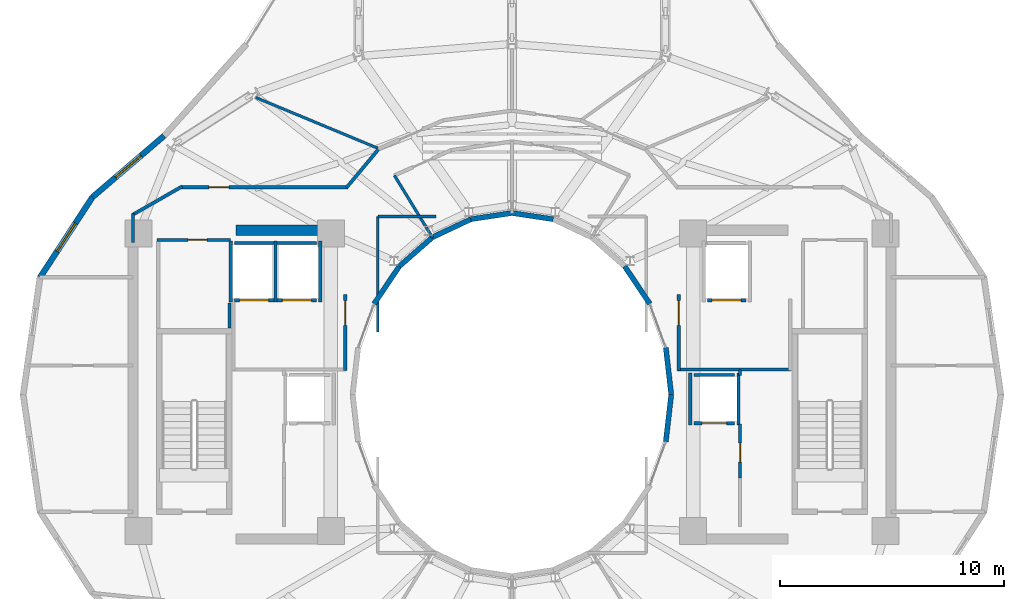
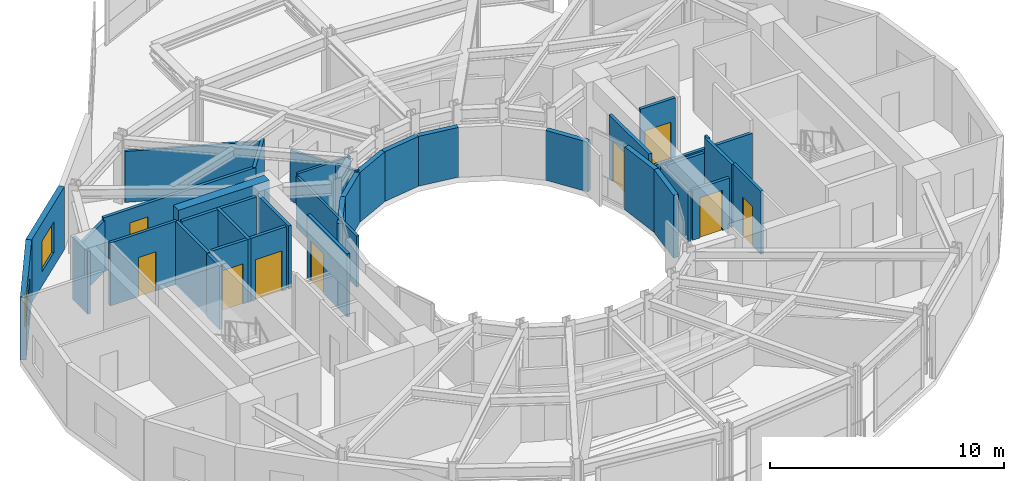
# One storey, part 19 of 24: 38 walls, 9 doors, 2 windows, 11 openings.
"""IFC4 building model written with IfcOpenShell, lengths in metres."""

from ifc_helpers import new_model, si_unit, direction, frame, frame_2d, origin, place, context, subcontext, project, spatial, rectangle, extrude, material, layer, layer_set, type_object, element, fill, save


model = new_model("IFC4")

# Units and contexts
model_context = context("Model", 3, precision=1e-05, world=origin(), true_north=direction((0.0, 1.0)))
body_context = subcontext(model_context, "Body", "Model", "MODEL_VIEW")
ifc_project = project(units=[si_unit("LENGTHUNIT", "METRE"), si_unit("AREAUNIT", "SQUARE_METRE"), si_unit("VOLUMEUNIT", "CUBIC_METRE"), si_unit("PLANEANGLEUNIT", "RADIAN"), si_unit("MASSUNIT", "GRAM", prefix="KILO")], contexts=[model_context])

# Site, building, storey
site_placement = place(None, origin())
site = spatial("IfcSite", under=ifc_project, at=site_placement, CompositionType="ELEMENT")
building_placement = place(site_placement, origin())
building = spatial("IfcBuilding", under=site, at=building_placement, Name="Solvane Sanctuary Tower", CompositionType="ELEMENT")
storey_placement = place(building_placement, frame((0.0, 0.0, 253.199951171875)))
storey = spatial("IfcBuildingStorey", under=building, at=storey_placement, Name="L77", CompositionType="ELEMENT", Elevation=253.199951171875)

# Wall
ifc_material_1 = material(Name="Concrete C50/60", Category="concrete")
ifc_layer_1 = layer(ifc_material_1, 0.449951171875, Name="Concrete C50/60")
ifc_layer_set_1 = layer_set([ifc_layer_1], Name="Concrete C50/60")
wall_type_1 = type_object("IfcWallType", Name="Wall W-CORE-450", PredefinedType="SHEAR", material=ifc_layer_set_1)
wall_1_placement = place(storey_placement, frame((19.64990234375, 30.35009765625, 0.0), z_axis=(0.0, 0.0, 1.0), x_axis=(1.0, 0.0, 0.0)))
element("IfcWall", 1, at=wall_1_placement, inside=storey, type_object=wall_type_1, Name="L77 Core Shear Wall WC-N", PredefinedType="SHEAR", context=body_context, shape_type="SweptSolid", body=[
    extrude(rectangle(XDim=4.5, YDim=0.449951171875, at=frame_2d((2.25, 0.0))), origin(), (0.0, 0.0, 1.0), 3.60009765625),
])

# Wall, opening, door
ifc_material_2 = material(Name="Acoustic Gypsum Partition Board")
ifc_layer_2 = layer(ifc_material_2, 0.14990234375, Name="Acoustic Gypsum Partition Board")
ifc_layer_set_2 = layer_set([ifc_layer_2], Name="Acoustic Gypsum Partition Board")
wall_type_2 = type_object("IfcWallType", Name="Wall W-CORR-150", PredefinedType="PARTITIONING", material=ifc_layer_set_2)
wall_2_placement = place(storey_placement, frame((24.550048828125, 24.080078125, 0.0), z_axis=(0.0, 0.0, 1.0), x_axis=(0.0, 1.0, 0.0)))
wall_2 = element("IfcWall", 2, at=wall_2_placement, inside=storey, type_object=wall_type_2, Name="L77 West Firefighting Lobby East Wall", PredefinedType="PARTITIONING", context=body_context, shape_type="SweptSolid", body=[
    extrude(rectangle(XDim=3.39990234375, YDim=0.14990234375, at=frame_2d((1.699951171875, 0.0))), origin(), (0.0, 0.0, 1.0), 3.295166015625),
])
opening_1_placement = place(wall_2_placement, frame((2.02001953125, 0.0, 0.0)))
opening_1 = element("IfcOpeningElement", 3, at=opening_1_placement, cuts=wall_2, Name="Opening D-L77-03", PredefinedType="OPENING", context=body_context, shape_type="SweptSolid", body=[
    extrude(rectangle(XDim=1.10009765625, YDim=2.10009765625, at=frame_2d((0.550048828125, 1.050048828125))), frame((0.0, 0.0849609375, 0.0), z_axis=(0.0, -1.0, 0.0), x_axis=(1.0, 0.0, 0.0)), (0.0, 0.0, 1.0), 0.169921875),
])
ifc_material_3 = material(Name="Architectural Stainless Steel 316", Category="steel")
door_type_1 = type_object("IfcDoorType", Name="Door D-FFL", OperationType="NOTDEFINED", PredefinedType="DOOR", material=ifc_material_3)
door_1_placement = place(opening_1_placement, origin())
door_1 = element("IfcDoor", 4, at=door_1_placement, inside=storey, type_object=door_type_1, Name="L77 West Firefighting Lobby Fire Door", OperationType="SINGLE_SWING_LEFT", OverallHeight=2.10009765625, OverallWidth=1.10009765625, PredefinedType="DOOR", context=body_context, shape_type="SweptSolid", body=[
    extrude(rectangle(XDim=1.10009765625, YDim=2.10009765625, at=frame_2d((0.550048828125, 1.050048828125))), frame((0.0, 0.02490234375, 0.0), z_axis=(0.0, -1.0, 0.0), x_axis=(1.0, 0.0, 0.0)), (0.0, 0.0, 1.0), 0.050048828125),
])
fill(opening_1, door_1)

# Wall
wall_3_placement = place(storey_placement, frame((39.39990234375, 24.1201171875, 0.0), z_axis=(0.0, 0.0, 1.0), x_axis=(1.0, 0.0, 0.0)))
element("IfcWall", 5, at=wall_3_placement, inside=storey, type_object=wall_type_2, Name="L77 East Firefighting Lobby South Wall", PredefinedType="PARTITIONING", context=body_context, shape_type="SweptSolid", body=[
    extrude(rectangle(XDim=5.080078125, YDim=0.14990234375, at=frame_2d((2.5400390625, 0.0))), origin(), (0.0, 0.0, 1.0), 2.6201171875),
])

# Wall, opening, door
wall_4_placement = place(storey_placement, frame((39.449951171875, 24.080078125, 0.0), z_axis=(0.0, 0.0, 1.0), x_axis=(0.0, 1.0, 0.0)))
wall_4 = element("IfcWall", 6, at=wall_4_placement, inside=storey, type_object=wall_type_2, Name="L77 East Firefighting Lobby West Wall", PredefinedType="PARTITIONING", context=body_context, shape_type="SweptSolid", body=[
    extrude(rectangle(XDim=3.39990234375, YDim=0.14990234375, at=frame_2d((1.699951171875, 0.0))), origin(), (0.0, 0.0, 1.0), 3.295166015625),
])
opening_2_placement = place(wall_4_placement, frame((2.02001953125, 0.0, 0.0)))
opening_2 = element("IfcOpeningElement", 7, at=opening_2_placement, cuts=wall_4, Name="Opening D-L77-04", PredefinedType="OPENING", context=body_context, shape_type="SweptSolid", body=[
    extrude(rectangle(XDim=1.10009765625, YDim=2.10009765625, at=frame_2d((0.550048828125, 1.050048828125))), frame((0.0, 0.0849609375, 0.0), z_axis=(0.0, -1.0, 0.0), x_axis=(1.0, 0.0, 0.0)), (0.0, 0.0, 1.0), 0.169921875),
])
door_2_placement = place(opening_2_placement, origin())
door_2 = element("IfcDoor", 8, at=door_2_placement, inside=storey, type_object=door_type_1, Name="L77 East Firefighting Lobby Fire Door", OperationType="SINGLE_SWING_RIGHT", OverallHeight=2.10009765625, OverallWidth=1.10009765625, PredefinedType="DOOR", context=body_context, shape_type="SweptSolid", body=[
    extrude(rectangle(XDim=1.10009765625, YDim=2.10009765625, at=frame_2d((0.550048828125, 1.050048828125))), frame((0.0, 0.02490234375, 0.0), z_axis=(0.0, -1.0, 0.0), x_axis=(1.0, 0.0, 0.0)), (0.0, 0.0, 1.0), 0.050048828125),
])
fill(opening_2, door_2)

# Walls
wall_5_placement = place(storey_placement, frame((15.050048828125, 29.800048828125, 0.0), z_axis=(0.0, 0.0, 1.0), x_axis=(0.0, 1.0, 0.0)))
element("IfcWall", 9, at=wall_5_placement, inside=storey, type_object=wall_type_2, Name="L77 NW Corner Closer 1", PredefinedType="PARTITIONING", context=body_context, shape_type="SweptSolid", body=[
    extrude(rectangle(XDim=1.2900390625, YDim=0.14990234375, at=frame_2d((0.64501953125, 0.0))), origin(), (0.0, 0.0, 1.0), 3.295166015625),
])
wall_6_placement = place(storey_placement, frame((26.015869140625, 33.95458984375, 0.0), z_axis=(0.0, 0.0, 1.0), x_axis=(-0.64030392053, -0.76812166312, 0.0)))
element("IfcWall", 10, at=wall_6_placement, inside=storey, type_object=wall_type_2, Name="L77 NW Corner Throat Wall", PredefinedType="PARTITIONING", context=body_context, shape_type="SweptSolid", body=[
    extrude(rectangle(XDim=2.2099609375, YDim=0.14990234375, at=frame_2d((1.10498046875, 0.0))), origin(), (0.0, 0.0, 1.0), 2.816162109375),
])

# Wall, opening, door
wall_7_placement = place(storey_placement, frame((17.14990234375, 32.280029296875, 0.0), z_axis=(0.0, 0.0, 1.0), x_axis=(1.0, 0.0, 0.0)))
wall_7 = element("IfcWall", 11, at=wall_7_placement, inside=storey, type_object=wall_type_2, Name="L77 NW Corner Corridor Wall", PredefinedType="PARTITIONING", context=body_context, shape_type="SweptSolid", body=[
    extrude(rectangle(XDim=7.52001953125, YDim=0.14990234375, at=frame_2d((3.760009765625, 0.0))), origin(), (0.0, 0.0, 1.0), 2.816162109375),
])
opening_3_placement = place(wall_7_placement, frame((1.300048828125, 0.0, 0.0)))
opening_3 = element("IfcOpeningElement", 12, at=opening_3_placement, cuts=wall_7, Name="Opening D-L77-18", PredefinedType="OPENING", context=body_context, shape_type="SweptSolid", body=[
    extrude(rectangle(XDim=0.89990234375, YDim=2.10009765625, at=frame_2d((0.449951171875, 1.050048828125))), frame((0.0, 0.0849609375, 0.0), z_axis=(0.0, -1.0, 0.0), x_axis=(1.0, 0.0, 0.0)), (0.0, 0.0, 1.0), 0.169921875),
])
ifc_material_4 = material(Name="Engineered Tropical Hardwood", Category="wood")
door_type_2 = type_object("IfcDoorType", Name="Door D-WET-900", OperationType="NOTDEFINED", PredefinedType="DOOR", material=ifc_material_4)
door_3_placement = place(opening_3_placement, origin())
door_3 = element("IfcDoor", 13, at=door_3_placement, inside=storey, type_object=door_type_2, Name="L77 NW Corner Salon Door", OperationType="SINGLE_SWING_RIGHT", OverallHeight=2.10009765625, OverallWidth=0.89990234375, PredefinedType="DOOR", context=body_context, shape_type="SweptSolid", body=[
    extrude(rectangle(XDim=0.89990234375, YDim=2.10009765625, at=frame_2d((0.449951171875, 1.050048828125))), frame((0.0, 0.02490234375, 0.0), z_axis=(0.0, -1.0, 0.0), x_axis=(1.0, 0.0, 0.0)), (0.0, 0.0, 1.0), 0.050048828125),
])
fill(opening_3, door_3)

# Wall
wall_8_placement = place(storey_placement, frame((17.243408203125, 32.3046875, 0.0), z_axis=(0.0, 0.0, 1.0), x_axis=(-0.867991349648, -0.496579315857, 0.0)))
element("IfcWall", 14, at=wall_8_placement, inside=storey, type_object=wall_type_2, Name="L77 NW Corner Wing Wall", PredefinedType="PARTITIONING", context=body_context, shape_type="SweptSolid", body=[
    extrude(rectangle(XDim=2.56689453125, YDim=0.14990234375, at=frame_2d((1.283447265625, 0.0))), origin(), (0.0, 0.0, 1.0), 2.66015625),
])

# Wall, opening, window
ifc_material_5 = material(Name="Precast concrete C40/50", Category="concrete")
ifc_layer_3 = layer(ifc_material_5, 0.260009765625, Name="Precast concrete C40/50")
ifc_layer_set_3 = layer_set([ifc_layer_3], Name="Precast concrete C40/50")
wall_type_3 = type_object("IfcWallType", Name="Wall W-EXT-250", PredefinedType="STANDARD", material=ifc_layer_set_3)
wall_9_placement = place(storey_placement, frame((16.4423828125, 34.572265625, 0.0), z_axis=(0.0, 0.0, 1.0), x_axis=(-0.759587504333, -0.650405122413, 0.0)))
wall_9 = element("IfcWall", 15, at=wall_9_placement, inside=storey, type_object=wall_type_3, Name="L77 Ceramic-Printed Facade Wall 09", PredefinedType="STANDARD", context=body_context, shape_type="SweptSolid", body=[
    extrude(rectangle(XDim=4.21728515625, YDim=0.260009765625, at=frame_2d((2.108642578125, 0.0))), origin(), (0.0, 0.0, 1.0), 3.2900390625),
])
opening_4_placement = place(wall_9_placement, frame((1.358642578125, 0.0, 0.75)))
opening_4 = element("IfcOpeningElement", 16, at=opening_4_placement, cuts=wall_9, Name="Opening WN-OPER-1500", PredefinedType="OPENING", context=body_context, shape_type="SweptSolid", body=[
    extrude(rectangle(XDim=1.5, YDim=1.60009765625, at=frame_2d((0.75, 0.800048828125))), frame((0.0, 0.139892578125, 0.0), z_axis=(0.0, -1.0, 0.0), x_axis=(1.0, 0.0, 0.0)), (0.0, 0.0, 1.0), 0.280029296875),
])
ifc_material_6 = material(Name="Dark Ceramic-Fritted Low-E Glass", Category="glass")
window_type = type_object("IfcWindowType", Name="Window WN-OPER-1500", PartitioningType="SINGLE_PANEL", PredefinedType="WINDOW", material=ifc_material_6)
window_1_placement = place(opening_4_placement, origin())
window_1 = element("IfcWindow", 17, at=window_1_placement, inside=storey, type_object=window_type, Name="L77 Operable Facade Window 09", OverallHeight=1.60009765625, OverallWidth=1.5, PartitioningType="SINGLE_PANEL", PredefinedType="WINDOW", context=body_context, shape_type="SweptSolid", body=[
    extrude(rectangle(XDim=1.5, YDim=1.60009765625, at=frame_2d((0.75, 0.800048828125))), frame((0.0, 0.030029296875, 0.0), z_axis=(0.0, -1.0, 0.0), x_axis=(1.0, 0.0, 0.0)), (0.0, 0.0, 1.0), 0.06005859375),
])
fill(opening_4, window_1)

wall_10_placement = place(storey_placement, frame((13.239013671875, 31.829345703125, 0.0), z_axis=(0.0, 0.0, 1.0), x_axis=(-0.546606419826, -0.837389647539, 0.0)))
wall_10 = element("IfcWall", 18, at=wall_10_placement, inside=storey, type_object=wall_type_3, Name="L77 Ceramic-Printed Facade Wall 10", PredefinedType="STANDARD", context=body_context, shape_type="SweptSolid", body=[
    extrude(rectangle(XDim=4.287841796875, YDim=0.260009765625, at=frame_2d((2.14404296875, 0.0))), origin(), (0.0, 0.0, 1.0), 3.2900390625),
])
opening_5_placement = place(wall_10_placement, frame((1.393798828125, 0.0, 0.75)))
opening_5 = element("IfcOpeningElement", 19, at=opening_5_placement, cuts=wall_10, Name="Opening WN-OPER-1500", PredefinedType="OPENING", context=body_context, shape_type="SweptSolid", body=[
    extrude(rectangle(XDim=1.5, YDim=1.60009765625, at=frame_2d((0.75, 0.800048828125))), frame((0.0, 0.139892578125, 0.0), z_axis=(0.0, -1.0, 0.0), x_axis=(1.0, 0.0, 0.0)), (0.0, 0.0, 1.0), 0.280029296875),
])
window_2_placement = place(opening_5_placement, origin())
window_2 = element("IfcWindow", 20, at=window_2_placement, inside=storey, type_object=window_type, Name="L77 Operable Facade Window 10", OverallHeight=1.60009765625, OverallWidth=1.5, PartitioningType="SINGLE_PANEL", PredefinedType="WINDOW", context=body_context, shape_type="SweptSolid", body=[
    extrude(rectangle(XDim=1.5, YDim=1.60009765625, at=frame_2d((0.75, 0.800048828125))), frame((0.0, 0.030029296875, 0.0), z_axis=(0.0, -1.0, 0.0), x_axis=(1.0, 0.0, 0.0)), (0.0, 0.0, 1.0), 0.06005859375),
])
fill(opening_5, window_2)

# Walls
ifc_layer_4 = layer(ifc_material_5, 0.22998046875, Name="Precast concrete C40/50")
ifc_layer_set_4 = layer_set([ifc_layer_4], Name="Precast concrete C40/50")
wall_type_4 = type_object("IfcWallType", Name="Wall W-EXT-SP220", PredefinedType="STANDARD", material=ifc_layer_set_4)
wall_11_placement = place(storey_placement, frame((39.1201171875, 23.0, 0.0), z_axis=(0.0, 0.0, 1.0), x_axis=(-0.114711713601, 0.993398823617, 0.0)))
element("IfcWall", 21, at=wall_11_placement, inside=storey, type_object=wall_type_4, Name="L77 Central Light-Well Wall 00", PredefinedType="STANDARD", context=body_context, shape_type="SweptSolid", body=[
    extrude(rectangle(XDim=2.115478515625, YDim=0.22998046875, at=frame_2d((1.0576171875, 0.0))), origin(), (0.0, 0.0, 1.0), 3.280029296875),
])
wall_12_placement = place(storey_placement, frame((38.166015625, 27.06005859375, 0.0), z_axis=(0.0, 0.0, 1.0), x_axis=(-0.558197800898, 0.829707909492, 0.0)))
element("IfcWall", 22, at=wall_12_placement, inside=storey, type_object=wall_type_4, Name="L77 Central Light-Well Wall 02", PredefinedType="STANDARD", context=body_context, shape_type="SweptSolid", body=[
    extrude(rectangle(XDim=2.02685546875, YDim=0.22998046875, at=frame_2d((1.013427734375, 0.0))), origin(), (0.0, 0.0, 1.0), 2.60009765625),
])
for number, where, z_axis, x_axis, name in (
    (23, (33.8427734375, 30.84326171875, 0.0), (0.0, 0.0, 1.0), (-0.988901730308, 0.148571086668, 0.0), "L77 Central Light-Well Wall 05"),
    (24, (32.0, 31.1201171875, 0.0), (0.0, 0.0, 1.0), (-0.988901730308, -0.148571086668, 0.0), "L77 Central Light-Well Wall 06"),
):
    element("IfcWall", number, at=place(storey_placement, frame(where, z_axis=z_axis, x_axis=x_axis)), inside=storey, type_object=wall_type_4, Name=name, PredefinedType="STANDARD", context=body_context, shape_type="SweptSolid", body=[
        extrude(rectangle(XDim=1.863525390625, YDim=0.22998046875, at=frame_2d((0.931640625, 0.0))), origin(), (0.0, 0.0, 1.0), 2.60009765625),
    ])
wall_13_placement = place(storey_placement, frame((30.1572265625, 30.84326171875, 0.0), z_axis=(0.0, 0.0, 1.0), x_axis=(-0.904179699603, -0.427152280606, 0.0)))
element("IfcWall", 25, at=wall_13_placement, inside=storey, type_object=wall_type_4, Name="L77 Central Light-Well Wall 07", PredefinedType="STANDARD", context=body_context, shape_type="SweptSolid", body=[
    extrude(rectangle(XDim=1.899169921875, YDim=0.22998046875, at=frame_2d((0.94970703125, 0.0))), origin(), (0.0, 0.0, 1.0), 2.60009765625),
])
wall_14_placement = place(storey_placement, frame((28.43994140625, 30.031982421875, 0.0), z_axis=(0.0, 0.0, 1.0), x_axis=(-0.752576694707, -0.658504607869, 0.0)))
element("IfcWall", 26, at=wall_14_placement, inside=storey, type_object=wall_type_4, Name="L77 Central Light-Well Wall 08", PredefinedType="STANDARD", context=body_context, shape_type="SweptSolid", body=[
    extrude(rectangle(XDim=1.95947265625, YDim=0.22998046875, at=frame_2d((0.979736328125, 0.0))), origin(), (0.0, 0.0, 1.0), 2.60009765625),
])
wall_15_placement = place(storey_placement, frame((26.96533203125, 28.74169921875, 0.0), z_axis=(0.0, 0.0, 1.0), x_axis=(-0.558197800898, -0.829707909492, 0.0)))
element("IfcWall", 27, at=wall_15_placement, inside=storey, type_object=wall_type_4, Name="L77 Central Light-Well Wall 09", PredefinedType="STANDARD", context=body_context, shape_type="SweptSolid", body=[
    extrude(rectangle(XDim=2.02685546875, YDim=0.22998046875, at=frame_2d((1.013427734375, 0.0))), origin(), (0.0, 0.0, 1.0), 2.60009765625),
])
wall_16_placement = place(storey_placement, frame((38.87744140625, 20.8984375, 0.0), z_axis=(0.0, 0.0, 1.0), x_axis=(0.114711713601, 0.993398823617, 0.0)))
element("IfcWall", 28, at=wall_16_placement, inside=storey, type_object=wall_type_4, Name="L77 Central Light-Well Wall 23", PredefinedType="STANDARD", context=body_context, shape_type="SweptSolid", body=[
    extrude(rectangle(XDim=2.115478515625, YDim=0.22998046875, at=frame_2d((1.0576171875, 0.0))), origin(), (0.0, 0.0, 1.0), 3.280029296875),
])
ifc_layer_5 = layer(ifc_material_2, 0.1201171875, Name="Acoustic Gypsum Partition Board")
ifc_layer_set_5 = layer_set([ifc_layer_5], Name="Acoustic Gypsum Partition Board")
wall_type_5 = type_object("IfcWallType", Name="Wall W-MOV-100", PredefinedType="MOVABLE", material=ifc_layer_set_5)
wall_17_placement = place(storey_placement, frame((26.000244140625, 34.017822265625, 0.0), z_axis=(0.0, 0.0, 1.0), x_axis=(-0.92349333748, 0.383614462228, 0.0)))
element("IfcWall", 29, at=wall_17_placement, inside=storey, type_object=wall_type_5, Name="L77 Sky Hall Radial Partition 120", PredefinedType="MOVABLE", context=body_context, shape_type="SweptSolid", body=[
    extrude(rectangle(XDim=5.9072265625, YDim=0.1201171875, at=frame_2d((2.95361328125, 0.0))), origin(), (0.0, 0.0, 1.0), 2.66015625),
])

# Wall, opening, door
ifc_layer_6 = layer(ifc_material_2, 0.125, Name="Acoustic Gypsum Partition Board")
ifc_layer_set_6 = layer_set([ifc_layer_6], Name="Acoustic Gypsum Partition Board")
wall_type_6 = type_object("IfcWallType", Name="Wall W-PART-125", PredefinedType="PARTITIONING", material=ifc_layer_set_6)
wall_18_placement = place(storey_placement, frame((42.199951171875, 19.280029296875, 0.0), z_axis=(0.0, 0.0, 1.0), x_axis=(0.0, 1.0, 0.0)))
wall_18 = element("IfcWall", 30, at=wall_18_placement, inside=storey, type_object=wall_type_6, Name="L77 Reclaimed Room Partition PME", PredefinedType="PARTITIONING", context=body_context, shape_type="SweptSolid", body=[
    extrude(rectangle(XDim=2.39990234375, YDim=0.125, at=frame_2d((1.199951171875, 0.0))), origin(), (0.0, 0.0, 1.0), 3.295166015625),
])
opening_6_placement = place(wall_18_placement, frame((0.699951171875, 0.0, 0.0)))
opening_6 = element("IfcOpeningElement", 31, at=opening_6_placement, cuts=wall_18, Name="Opening D-L77-06", PredefinedType="OPENING", context=body_context, shape_type="SweptSolid", body=[
    extrude(rectangle(XDim=0.85009765625, YDim=2.050048828125, at=frame_2d((0.425048828125, 1.02490234375))), frame((0.0, 0.072509765625, 0.0), z_axis=(0.0, -1.0, 0.0), x_axis=(1.0, 0.0, 0.0)), (0.0, 0.0, 1.0), 0.14501953125),
])
door_type_3 = type_object("IfcDoorType", Name="Door D-RISER", OperationType="NOTDEFINED", PredefinedType="DOOR", material=ifc_material_3)
door_4_placement = place(opening_6_placement, origin())
door_4 = element("IfcDoor", 32, at=door_4_placement, inside=storey, type_object=door_type_3, Name="L77 Reclaimed Room Door PME-1", OperationType="SINGLE_SWING_RIGHT", OverallHeight=2.050048828125, OverallWidth=0.85009765625, PredefinedType="DOOR", context=body_context, shape_type="SweptSolid", body=[
    extrude(rectangle(XDim=0.85009765625, YDim=2.050048828125, at=frame_2d((0.425048828125, 1.02490234375))), frame((0.0, 0.02490234375, 0.0), z_axis=(0.0, -1.0, 0.0), x_axis=(1.0, 0.0, 0.0)), (0.0, 0.0, 1.0), 0.050048828125),
])
fill(opening_6, door_4)

# Walls
wall_19_placement = place(storey_placement, frame((42.199951171875, 23.85009765625, 0.0), z_axis=(0.0, 0.0, 1.0), x_axis=(0.0, 1.0, 0.0)))
element("IfcWall", 33, at=wall_19_placement, inside=storey, type_object=wall_type_6, Name="L77 Reclaimed Room Dividing Wall PME", PredefinedType="PARTITIONING", context=body_context, shape_type="SweptSolid", body=[
    extrude(rectangle(XDim=0.25, YDim=0.125, at=frame_2d((0.125, 0.0))), origin(), (0.0, 0.0, 1.0), 3.295166015625),
])
wall_20_placement = place(storey_placement, frame((28.449951171875, 30.014892578125, 0.0), z_axis=(0.0, 0.0, 1.0), x_axis=(-0.522763432117, 0.852477796802, 0.0)))
element("IfcWall", 34, at=wall_20_placement, inside=storey, type_object=wall_type_6, Name="L77 Light-Well Alcove Radial Wall 120", PredefinedType="PARTITIONING", context=body_context, shape_type="SweptSolid", body=[
    extrude(rectangle(XDim=3.26904296875, YDim=0.125, at=frame_2d((1.634521484375, 0.0))), origin(), (0.0, 0.0, 1.0), 2.672119140625),
])
wall_21_placement = place(storey_placement, frame((26.0, 25.800048828125, 0.0), z_axis=(0.0, 0.0, 1.0), x_axis=(0.0, 1.0, 0.0)))
element("IfcWall", 35, at=wall_21_placement, inside=storey, type_object=wall_type_6, Name="L77 Bridge Alcove Wall 1", PredefinedType="PARTITIONING", context=body_context, shape_type="SweptSolid", body=[
    extrude(rectangle(XDim=5.159912109375, YDim=0.125, at=frame_2d((2.580078125, 0.0))), origin(), (0.0, 0.0, 1.0), 2.672119140625),
])
wall_22_placement = place(storey_placement, frame((26.0, 30.9599609375, 0.0), z_axis=(0.0, 0.0, 1.0), x_axis=(1.0, 0.0, 0.0)))
element("IfcWall", 36, at=wall_22_placement, inside=storey, type_object=wall_type_6, Name="L77 Bridge Alcove Wall 2", PredefinedType="PARTITIONING", context=body_context, shape_type="SweptSolid", body=[
    extrude(rectangle(XDim=2.60009765625, YDim=0.125, at=frame_2d((1.300048828125, 0.0))), origin(), (0.0, 0.0, 1.0), 2.816162109375),
])

# Wall, opening, door
ifc_layer_7 = layer(ifc_material_1, 0.14990234375, Name="Concrete C50/60")
ifc_layer_set_7 = layer_set([ifc_layer_7], Name="Concrete C50/60")
wall_type_7 = type_object("IfcWallType", Name="Wall W-SHAFT-150", PredefinedType="SOLIDWALL", material=ifc_layer_set_7)
wall_23_placement = place(storey_placement, frame((40.139892578125, 21.719970703125, 0.0), z_axis=(0.0, 0.0, 1.0), x_axis=(1.0, 0.0, 0.0)))
wall_23 = element("IfcWall", 37, at=wall_23_placement, inside=storey, type_object=wall_type_7, Name="L77 PH-2 Lift Shaft Wall F", PredefinedType="SOLIDWALL", context=body_context, shape_type="SweptSolid", body=[
    extrude(rectangle(XDim=1.820068359375, YDim=0.14990234375, at=frame_2d((0.91015625, 0.0))), origin(), (0.0, 0.0, 1.0), 2.6201171875),
])
opening_7_placement = place(wall_23_placement, frame((0.360107421875, 0.0, 0.0)))
opening_7 = element("IfcOpeningElement", 38, at=opening_7_placement, cuts=wall_23, Name="Opening LD-L77-02", PredefinedType="OPENING", context=body_context, shape_type="SweptSolid", body=[
    extrude(rectangle(XDim=1.10009765625, YDim=2.10009765625, at=frame_2d((0.550048828125, 1.050048828125))), frame((0.0, 0.0849609375, 0.0), z_axis=(0.0, -1.0, 0.0), x_axis=(1.0, 0.0, 0.0)), (0.0, 0.0, 1.0), 0.169921875),
])
door_type_4 = type_object("IfcDoorType", Name="Door LD-PASS-1100", OperationType="NOTDEFINED", PredefinedType="DOOR", material=ifc_material_3)
door_5_placement = place(opening_7_placement, origin())
door_5 = element("IfcDoor", 39, at=door_5_placement, inside=storey, type_object=door_type_4, Name="L77 PH-2 Lift Landing Door", OperationType="DOUBLE_DOOR_SLIDING", OverallHeight=2.10009765625, OverallWidth=1.10009765625, PredefinedType="DOOR", context=body_context, shape_type="SweptSolid", body=[
    extrude(rectangle(XDim=1.10009765625, YDim=2.10009765625, at=frame_2d((0.550048828125, 1.050048828125))), frame((0.0, 0.02490234375, 0.0), z_axis=(0.0, -1.0, 0.0), x_axis=(1.0, 0.0, 0.0)), (0.0, 0.0, 1.0), 0.050048828125),
])
fill(opening_7, door_5)

# Walls
wall_24_placement = place(storey_placement, frame((40.139892578125, 23.8798828125, 0.0), z_axis=(0.0, 0.0, 1.0), x_axis=(1.0, 0.0, 0.0)))
element("IfcWall", 40, at=wall_24_placement, inside=storey, type_object=wall_type_7, Name="L77 PH-2 Lift Shaft Wall B", PredefinedType="SOLIDWALL", context=body_context, shape_type="SweptSolid", body=[
    extrude(rectangle(XDim=1.820068359375, YDim=0.14990234375, at=frame_2d((0.91015625, 0.0))), origin(), (0.0, 0.0, 1.0), 2.6201171875),
])
wall_25_placement = place(storey_placement, frame((39.969970703125, 21.639892578125, 0.0), z_axis=(0.0, 0.0, 1.0), x_axis=(0.0, 1.0, 0.0)))
element("IfcWall", 41, at=wall_25_placement, inside=storey, type_object=wall_type_7, Name="L77 PH-2 Lift Shaft Wall S1", PredefinedType="SOLIDWALL", context=body_context, shape_type="SweptSolid", body=[
    extrude(rectangle(XDim=2.320068359375, YDim=0.14990234375, at=frame_2d((1.16015625, 0.0))), origin(), (0.0, 0.0, 1.0), 2.6201171875),
])
wall_26_placement = place(storey_placement, frame((42.1298828125, 21.639892578125, 0.0), z_axis=(0.0, 0.0, 1.0), x_axis=(0.0, 1.0, 0.0)))
element("IfcWall", 42, at=wall_26_placement, inside=storey, type_object=wall_type_7, Name="L77 PH-2 Lift Shaft Wall S2", PredefinedType="SOLIDWALL", context=body_context, shape_type="SweptSolid", body=[
    extrude(rectangle(XDim=2.320068359375, YDim=0.14990234375, at=frame_2d((1.16015625, 0.0))), origin(), (0.0, 0.0, 1.0), 3.295166015625),
])

# Wall, opening, door
wall_27_placement = place(storey_placement, frame((19.590087890625, 27.219970703125, 0.0), z_axis=(0.0, 0.0, 1.0), x_axis=(1.0, 0.0, 0.0)))
wall_27 = element("IfcWall", 43, at=wall_27_placement, inside=storey, type_object=wall_type_7, Name="L77 FFL-1 Lift Shaft Wall F", PredefinedType="SOLIDWALL", context=body_context, shape_type="SweptSolid", body=[
    extrude(rectangle(XDim=1.760009765625, YDim=0.14990234375, at=frame_2d((0.8798828125, 0.0))), origin(), (0.0, 0.0, 1.0), 3.295166015625),
])
opening_8_placement = place(wall_27_placement, frame((0.22998046875, 0.0, 0.0)))
opening_8 = element("IfcOpeningElement", 44, at=opening_8_placement, cuts=wall_27, Name="Opening LD-L77-03", PredefinedType="OPENING", context=body_context, shape_type="SweptSolid", body=[
    extrude(rectangle(XDim=1.300048828125, YDim=2.10009765625, at=frame_2d((0.64990234375, 1.050048828125))), frame((0.0, 0.0849609375, 0.0), z_axis=(0.0, -1.0, 0.0), x_axis=(1.0, 0.0, 0.0)), (0.0, 0.0, 1.0), 0.169921875),
])
door_type_5 = type_object("IfcDoorType", Name="Door LD-FFL-1300", OperationType="NOTDEFINED", PredefinedType="DOOR", material=ifc_material_3)
door_6_placement = place(opening_8_placement, origin())
door_6 = element("IfcDoor", 45, at=door_6_placement, inside=storey, type_object=door_type_5, Name="L77 FFL-1 Lift Landing Door", OperationType="DOUBLE_DOOR_SLIDING", OverallHeight=2.10009765625, OverallWidth=1.300048828125, PredefinedType="DOOR", context=body_context, shape_type="SweptSolid", body=[
    extrude(rectangle(XDim=1.300048828125, YDim=2.10009765625, at=frame_2d((0.64990234375, 1.050048828125))), frame((0.0, 0.02490234375, 0.0), z_axis=(0.0, -1.0, 0.0), x_axis=(1.0, 0.0, 0.0)), (0.0, 0.0, 1.0), 0.050048828125),
])
fill(opening_8, door_6)

# Walls
wall_28_placement = place(storey_placement, frame((19.590087890625, 29.780029296875, 0.0), z_axis=(0.0, 0.0, 1.0), x_axis=(1.0, 0.0, 0.0)))
element("IfcWall", 46, at=wall_28_placement, inside=storey, type_object=wall_type_7, Name="L77 FFL-1 Lift Shaft Wall B", PredefinedType="SOLIDWALL", context=body_context, shape_type="SweptSolid", body=[
    extrude(rectangle(XDim=1.760009765625, YDim=0.14990234375, at=frame_2d((0.8798828125, 0.0))), origin(), (0.0, 0.0, 1.0), 3.295166015625),
])
for number, where, z_axis, x_axis, name in (
    (47, (19.419921875, 27.139892578125, 0.0), (0.0, 0.0, 1.0), (0.0, 1.0, 0.0), "L77 FFL-1 Lift Shaft Wall S1"),
    (48, (21.425048828125, 27.139892578125, 0.0), (0.0, 0.0, 1.0), (0.0, 1.0, 0.0), "L77 FFL-1 Lift Shaft Wall S2"),
):
    element("IfcWall", number, at=place(storey_placement, frame(where, z_axis=z_axis, x_axis=x_axis)), inside=storey, type_object=wall_type_7, Name=name, PredefinedType="SOLIDWALL", context=body_context, shape_type="SweptSolid", body=[
        extrude(rectangle(XDim=2.72021484375, YDim=0.14990234375, at=frame_2d((1.360107421875, 0.0))), origin(), (0.0, 0.0, 1.0), 3.295166015625),
    ])

# Wall, opening, door
wall_29_placement = place(storey_placement, frame((21.5, 27.219970703125, 0.0), z_axis=(0.0, 0.0, 1.0), x_axis=(1.0, 0.0, 0.0)))
wall_29 = element("IfcWall", 49, at=wall_29_placement, inside=storey, type_object=wall_type_7, Name="L77 SVL-1 Lift Shaft Wall F", PredefinedType="SOLIDWALL", context=body_context, shape_type="SweptSolid", body=[
    extrude(rectangle(XDim=1.760009765625, YDim=0.14990234375, at=frame_2d((0.8798828125, 0.0))), origin(), (0.0, 0.0, 1.0), 3.295166015625),
])
opening_9_placement = place(wall_29_placement, frame((0.22998046875, 0.0, 0.0)))
opening_9 = element("IfcOpeningElement", 50, at=opening_9_placement, cuts=wall_29, Name="Opening LD-L77-04", PredefinedType="OPENING", context=body_context, shape_type="SweptSolid", body=[
    extrude(rectangle(XDim=1.300048828125, YDim=2.10009765625, at=frame_2d((0.64990234375, 1.050048828125))), frame((0.0, 0.0849609375, 0.0), z_axis=(0.0, -1.0, 0.0), x_axis=(1.0, 0.0, 0.0)), (0.0, 0.0, 1.0), 0.169921875),
])
door_7_placement = place(opening_9_placement, origin())
door_7 = element("IfcDoor", 51, at=door_7_placement, inside=storey, type_object=door_type_5, Name="L77 SVL-1 Lift Landing Door", OperationType="DOUBLE_DOOR_SLIDING", OverallHeight=2.10009765625, OverallWidth=1.300048828125, PredefinedType="DOOR", context=body_context, shape_type="SweptSolid", body=[
    extrude(rectangle(XDim=1.300048828125, YDim=2.10009765625, at=frame_2d((0.64990234375, 1.050048828125))), frame((0.0, 0.02490234375, 0.0), z_axis=(0.0, -1.0, 0.0), x_axis=(1.0, 0.0, 0.0)), (0.0, 0.0, 1.0), 0.050048828125),
])
fill(opening_9, door_7)

# Walls
wall_30_placement = place(storey_placement, frame((21.5, 29.780029296875, 0.0), z_axis=(0.0, 0.0, 1.0), x_axis=(1.0, 0.0, 0.0)))
element("IfcWall", 52, at=wall_30_placement, inside=storey, type_object=wall_type_7, Name="L77 SVL-1 Lift Shaft Wall B", PredefinedType="SOLIDWALL", context=body_context, shape_type="SweptSolid", body=[
    extrude(rectangle(XDim=1.760009765625, YDim=0.14990234375, at=frame_2d((0.8798828125, 0.0))), origin(), (0.0, 0.0, 1.0), 3.295166015625),
])
wall_31_placement = place(storey_placement, frame((23.429931640625, 27.139892578125, 0.0), z_axis=(0.0, 0.0, 1.0), x_axis=(0.0, 1.0, 0.0)))
element("IfcWall", 53, at=wall_31_placement, inside=storey, type_object=wall_type_7, Name="L77 SVL-1 Lift Shaft Wall S2", PredefinedType="SOLIDWALL", context=body_context, shape_type="SweptSolid", body=[
    extrude(rectangle(XDim=2.72021484375, YDim=0.14990234375, at=frame_2d((1.360107421875, 0.0))), origin(), (0.0, 0.0, 1.0), 3.295166015625),
])

# Wall, opening, door
wall_32_placement = place(storey_placement, frame((40.739990234375, 27.219970703125, 0.0), z_axis=(0.0, 0.0, 1.0), x_axis=(1.0, 0.0, 0.0)))
wall_32 = element("IfcWall", 54, at=wall_32_placement, inside=storey, type_object=wall_type_7, Name="L77 FFL-2 Lift Shaft Wall F", PredefinedType="SOLIDWALL", context=body_context, shape_type="SweptSolid", body=[
    extrude(rectangle(XDim=1.719970703125, YDim=0.14990234375, at=frame_2d((0.85986328125, 0.0))), origin(), (0.0, 0.0, 1.0), 3.295166015625),
])
opening_10_placement = place(wall_32_placement, frame((0.2099609375, 0.0, 0.0)))
opening_10 = element("IfcOpeningElement", 55, at=opening_10_placement, cuts=wall_32, Name="Opening LD-L77-05", PredefinedType="OPENING", context=body_context, shape_type="SweptSolid", body=[
    extrude(rectangle(XDim=1.300048828125, YDim=2.10009765625, at=frame_2d((0.64990234375, 1.050048828125))), frame((0.0, 0.0849609375, 0.0), z_axis=(0.0, -1.0, 0.0), x_axis=(1.0, 0.0, 0.0)), (0.0, 0.0, 1.0), 0.169921875),
])
door_8_placement = place(opening_10_placement, origin())
door_8 = element("IfcDoor", 56, at=door_8_placement, inside=storey, type_object=door_type_5, Name="L77 FFL-2 Lift Landing Door", OperationType="DOUBLE_DOOR_SLIDING", OverallHeight=2.10009765625, OverallWidth=1.300048828125, PredefinedType="DOOR", context=body_context, shape_type="SweptSolid", body=[
    extrude(rectangle(XDim=1.300048828125, YDim=2.10009765625, at=frame_2d((0.64990234375, 1.050048828125))), frame((0.0, 0.02490234375, 0.0), z_axis=(0.0, -1.0, 0.0), x_axis=(1.0, 0.0, 0.0)), (0.0, 0.0, 1.0), 0.050048828125),
])
fill(opening_10, door_8)

ifc_layer_8 = layer(ifc_material_2, 0.139892578125, Name="Acoustic Gypsum Partition Board")
ifc_layer_set_8 = layer_set([ifc_layer_8], Name="Acoustic Gypsum Partition Board")
wall_type_8 = type_object("IfcWallType", Name="Wall W-WET-140", PredefinedType="PLUMBINGWALL", material=ifc_layer_set_8)
wall_33_placement = place(storey_placement, frame((16.1201171875, 29.919921875, 0.0), z_axis=(0.0, 0.0, 1.0), x_axis=(1.0, 0.0, 0.0)))
wall_33 = element("IfcWall", 57, at=wall_33_placement, inside=storey, type_object=wall_type_8, Name="L77 Core Service Front Wall KW0", PredefinedType="PLUMBINGWALL", context=body_context, shape_type="SweptSolid", body=[
    extrude(rectangle(XDim=3.2998046875, YDim=0.139892578125, at=frame_2d((1.64990234375, 0.0))), origin(), (0.0, 0.0, 1.0), 3.295166015625),
])
opening_11_placement = place(wall_33_placement, frame((1.3994140625, 0.0, 0.0)))
opening_11 = element("IfcOpeningElement", 58, at=opening_11_placement, cuts=wall_33, Name="Opening D-L77-07", PredefinedType="OPENING", context=body_context, shape_type="SweptSolid", body=[
    extrude(rectangle(XDim=0.85009765625, YDim=2.050048828125, at=frame_2d((0.425048828125, 1.02490234375))), frame((0.0, 0.079833984375, 0.0), z_axis=(0.0, -1.0, 0.0), x_axis=(1.0, 0.0, 0.0)), (0.0, 0.0, 1.0), 0.159912109375),
])
door_9_placement = place(opening_11_placement, origin())
door_9 = element("IfcDoor", 59, at=door_9_placement, inside=storey, type_object=door_type_3, Name="L77 Core Service Room Door KW0-1", OperationType="SINGLE_SWING_LEFT", OverallHeight=2.050048828125, OverallWidth=0.85009765625, PredefinedType="DOOR", context=body_context, shape_type="SweptSolid", body=[
    extrude(rectangle(XDim=0.85009765625, YDim=2.050048828125, at=frame_2d((0.425048828125, 1.02490234375))), frame((0.0, 0.02490234375, 0.0), z_axis=(0.0, -1.0, 0.0), x_axis=(1.0, 0.0, 0.0)), (0.0, 0.0, 1.0), 0.050048828125),
])
fill(opening_11, door_9)

# Wall
wall_34_placement = place(storey_placement, frame((19.360107421875, 25.97998046875, 0.0), z_axis=(0.0, 0.0, 1.0), x_axis=(0.0, 1.0, 0.0)))
element("IfcWall", 60, at=wall_34_placement, inside=storey, type_object=wall_type_8, Name="L77 Core Service Side Wall KW0-2", PredefinedType="PLUMBINGWALL", context=body_context, shape_type="SweptSolid", body=[
    extrude(rectangle(XDim=1.1201171875, YDim=0.139892578125, at=frame_2d((0.56005859375, 0.0))), origin(), (0.0, 0.0, 1.0), 3.295166015625),
])

save(model, "model.ifc")
